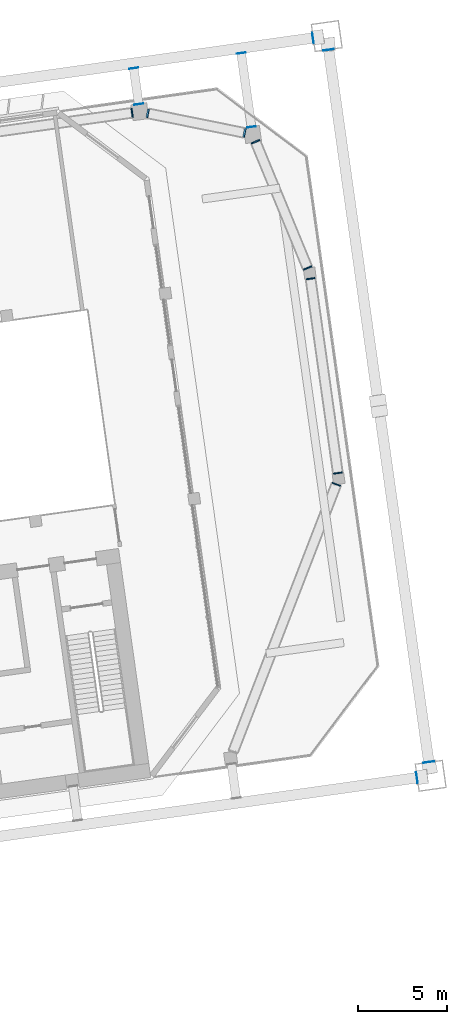
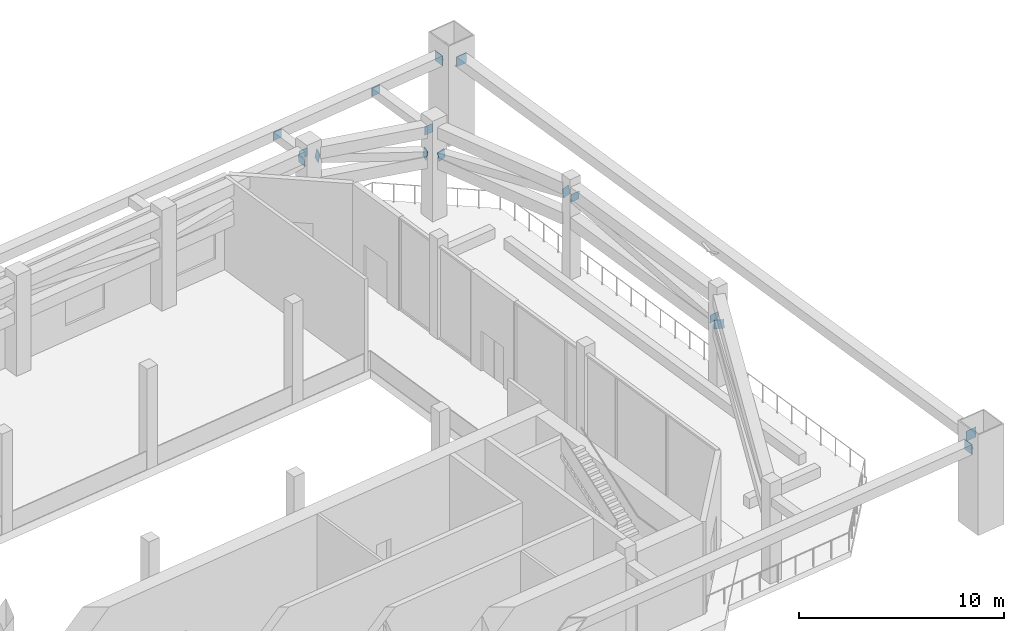
# One storey, part 39 of 41: 16 discrete accessories.
"""IFC4 building model written with IfcOpenShell, lengths in metres."""

from ifc_helpers import new_model, si_unit, direction, frame, origin, origin_2d, place, context, subcontext, project, spatial, rectangle, extrude, material, material_profile, profile_set, type_object, element, save


model = new_model("IFC4")

# Units and contexts
model_context = context("Model", 3, precision=1e-05, world=origin(), true_north=direction((0.0, 1.0)))
body_context = subcontext(model_context, "Body", "Model", "MODEL_VIEW")
ifc_project = project(units=[si_unit("LENGTHUNIT", "METRE"), si_unit("AREAUNIT", "SQUARE_METRE"), si_unit("VOLUMEUNIT", "CUBIC_METRE"), si_unit("PLANEANGLEUNIT", "RADIAN"), si_unit("MASSUNIT", "GRAM", prefix="KILO")], contexts=[model_context])

# Site, building, storey
site_placement = place(None, origin())
site = spatial("IfcSite", under=ifc_project, at=site_placement, CompositionType="ELEMENT")
building_placement = place(site_placement, origin())
building = spatial("IfcBuilding", under=site, at=building_placement, Name="Mirante Cascada Hotel Towers", CompositionType="ELEMENT")
storey_placement = place(building_placement, frame((0.0, 0.0, 92.7)))
storey = spatial("IfcBuildingStorey", under=building, at=storey_placement, Name="L20", CompositionType="ELEMENT", Elevation=92.7)

# Discrete accessories
ifc_material_1 = material(Name="Steel ASTM A572 Gr 50", Category="steel")
ifc_material_profile_1 = material_profile(ifc_material_1, rectangle(XDim=0.5, YDim=0.5, at=origin_2d()), Name="Connection plate 500x500x25 ASTM A572 Gr 50")
ifc_profile_set_1 = profile_set([ifc_material_profile_1], Name="Steel ASTM A572 Gr 50")
discrete_accessory_type_1 = type_object("IfcDiscreteAccessoryType", Name="Connection plate 500x500x25 ASTM A572 Gr 50", PredefinedType="BRACKET", material=ifc_profile_set_1)
for number, where, z_axis, x_axis, name in (
    (1, (89.4089, 24.7787, 4.8483), (0.9807378, 0.1401054, 0.1361024), (-0.1414214, 0.9899495, 0.0), "Connection plate BT20D"),
    (2, (90.283, 24.7522, 4.8524), (0.9625457, -0.1917104, -0.1917104), (0.1953335, 0.9807369, 0.0), "Connection plate BT20D"),
):
    element("IfcDiscreteAccessory", number, at=place(storey_placement, frame(where, z_axis=z_axis, x_axis=x_axis)), inside=storey, type_object=discrete_accessory_type_1, Name=name, PredefinedType="BRACKET", context=body_context, shape_type="SweptSolid", body=[
        extrude(rectangle(XDim=0.5, YDim=0.5, at=origin_2d()), origin(), (0.0, 0.0, 1.0), 0.025),
    ])
discrete_accessory_1_placement = place(storey_placement, frame((95.7267, 23.6531, 3.7524), z_axis=(0.9618019, -0.1955531, -0.1915622), x_axis=(0.199243, 0.9799501, 0.0)))
element("IfcDiscreteAccessory", 3, at=discrete_accessory_1_placement, inside=storey, type_object=discrete_accessory_type_1, Name="Connection plate BT20D", PredefinedType="BRACKET", context=body_context, shape_type="SweptSolid", body=[
    extrude(rectangle(XDim=0.5, YDim=0.5, at=origin_2d()), origin(), (0.0, 0.0, 1.0), 0.0251),
])
discrete_accessory_2_placement = place(storey_placement, frame((96.3516, 23.1606, 3.7482), z_axis=(0.3757806, -0.9154655, 0.143916), x_axis=(0.9250959, 0.3797337, 0.0)))
element("IfcDiscreteAccessory", 4, at=discrete_accessory_2_placement, inside=storey, type_object=discrete_accessory_type_1, Name="Connection plate BT20D", PredefinedType="BRACKET", context=body_context, shape_type="SweptSolid", body=[
    extrude(rectangle(XDim=0.5, YDim=0.5, at=origin_2d()), origin(), (0.0, 0.0, 1.0), 0.025),
])
discrete_accessory_3_placement = place(storey_placement, frame((99.2791, 16.0602, 4.8482), z_axis=(0.379206, -0.9140861, 0.1436991), x_axis=(0.9236725, 0.3831829, 0.0)))
element("IfcDiscreteAccessory", 5, at=discrete_accessory_3_placement, inside=storey, type_object=discrete_accessory_type_1, Name="Connection plate BT20D", PredefinedType="BRACKET", context=body_context, shape_type="SweptSolid", body=[
    extrude(rectangle(XDim=0.5, YDim=0.5, at=origin_2d()), origin(), (0.0, 0.0, 1.0), 0.0251),
])
for number, where, z_axis, x_axis, name in (
    (6, (99.4449, 15.4673, 4.8512), (0.1357385, -0.9861006, -0.0958154), (0.9906585, 0.136366, 0.0), "Connection plate BT20D"),
    (7, (100.9813, 4.5347, 3.7512), (0.1402054, -0.9854437, -0.0961409), (0.9900298, 0.1408579, 0.0), "Connection plate BT20D"),
):
    element("IfcDiscreteAccessory", number, at=place(storey_placement, frame(where, z_axis=z_axis, x_axis=x_axis)), inside=storey, type_object=discrete_accessory_type_1, Name=name, PredefinedType="BRACKET", context=body_context, shape_type="SweptSolid", body=[
        extrude(rectangle(XDim=0.5, YDim=0.5, at=origin_2d()), origin(), (0.0, 0.0, 1.0), 0.025),
    ])
discrete_accessory_4_placement = place(storey_placement, frame((100.9032, 3.9036, 3.7491), z_axis=(-0.360728, -0.9298765, 0.0721456), x_axis=(0.932306, -0.3616704, 0.0)))
element("IfcDiscreteAccessory", 8, at=discrete_accessory_4_placement, inside=storey, type_object=discrete_accessory_type_1, Name="Connection plate BT20D", PredefinedType="BRACKET", context=body_context, shape_type="SweptSolid", body=[
    extrude(rectangle(XDim=0.5, YDim=0.5, at=origin_2d()), origin(), (0.0, 0.0, 1.0), 0.0249),
])
discrete_accessory_5_placement = place(storey_placement, frame((89.7889, 25.2537, 4.85), z_axis=(-0.1397442, 0.9901876, 0.0), x_axis=(-0.9901876, -0.1397442, 0.0)))
element("IfcDiscreteAccessory", 9, at=discrete_accessory_5_placement, inside=storey, type_object=discrete_accessory_type_1, Name="Connection plate TIE", PredefinedType="BRACKET", context=body_context, shape_type="SweptSolid", body=[
    extrude(rectangle(XDim=0.5, YDim=0.5, at=origin_2d()), origin(), (0.0, 0.0, 1.0), 0.025),
])
discrete_accessory_6_placement = place(storey_placement, frame((89.505, 27.2739, 4.85), z_axis=(-0.1402989, 0.9901092, 0.0), x_axis=(-0.9901092, -0.1402989, 0.0)))
element("IfcDiscreteAccessory", 10, at=discrete_accessory_6_placement, inside=storey, type_object=discrete_accessory_type_1, Name="Connection plate TIE", PredefinedType="BRACKET", context=body_context, shape_type="SweptSolid", body=[
    extrude(rectangle(XDim=0.5, YDim=0.5, at=origin_2d()), origin(), (0.0, 0.0, 1.0), 0.0249),
])
for number, where, z_axis, x_axis, name in (
    (11, (96.1287, 23.9736, 4.85), (-0.1358263, 0.9907327, 0.0), (-0.9907327, -0.1358263, 0.0), "Connection plate TIE"),
    (12, (95.5456, 28.1228, 4.85), (-0.1397442, 0.9901876, 0.0), (-0.9901876, -0.1397442, 0.0), "Connection plate TIE"),
):
    element("IfcDiscreteAccessory", number, at=place(storey_placement, frame(where, z_axis=z_axis, x_axis=x_axis)), inside=storey, type_object=discrete_accessory_type_1, Name=name, PredefinedType="BRACKET", context=body_context, shape_type="SweptSolid", body=[
        extrude(rectangle(XDim=0.5, YDim=0.5, at=origin_2d()), origin(), (0.0, 0.0, 1.0), 0.025),
    ])
ifc_material_2 = material(Name="Steel ASTM A572 Gr 50", Category="steel")
ifc_material_profile_2 = material_profile(ifc_material_2, rectangle(XDim=0.6, YDim=0.6, at=origin_2d()), Name="Connection plate 600x600x25 ASTM A572 Gr 50")
ifc_profile_set_2 = profile_set([ifc_material_profile_2], Name="Steel ASTM A572 Gr 50")
discrete_accessory_type_2 = type_object("IfcDiscreteAccessoryType", Name="Connection plate 600x600x25 ASTM A572 Gr 50", PredefinedType="BRACKET", material=ifc_profile_set_2)
discrete_accessory_7_placement = place(storey_placement, frame((99.5724, 28.9841, 4.85), z_axis=(0.9901876, 0.1397442, 0.0), x_axis=(-0.1397442, 0.9901876, 0.0)))
element("IfcDiscreteAccessory", 13, at=discrete_accessory_7_placement, inside=storey, type_object=discrete_accessory_type_2, Name="Connection plate NCH", PredefinedType="BRACKET", context=body_context, shape_type="SweptSolid", body=[
    extrude(rectangle(XDim=0.6, YDim=0.6, at=origin_2d()), origin(), (0.0, 0.0, 1.0), 0.025),
])
discrete_accessory_8_placement = place(storey_placement, frame((105.4177, -12.6071, 4.85), z_axis=(0.9901092, 0.1402989, 0.0), x_axis=(-0.1402989, 0.9901092, 0.0)))
element("IfcDiscreteAccessory", 14, at=discrete_accessory_8_placement, inside=storey, type_object=discrete_accessory_type_2, Name="Connection plate NCH", PredefinedType="BRACKET", context=body_context, shape_type="SweptSolid", body=[
    extrude(rectangle(XDim=0.6, YDim=0.6, at=origin_2d()), origin(), (0.0, 0.0, 1.0), 0.0249),
])
discrete_accessory_9_placement = place(storey_placement, frame((106.0957, -11.7368, 4.85), z_axis=(-0.1397442, 0.9901876, 0.0), x_axis=(-0.9901876, -0.1397442, 0.0)))
element("IfcDiscreteAccessory", 15, at=discrete_accessory_9_placement, inside=storey, type_object=discrete_accessory_type_2, Name="Connection plate NCH", PredefinedType="BRACKET", context=body_context, shape_type="SweptSolid", body=[
    extrude(rectangle(XDim=0.6, YDim=0.6, at=origin_2d()), origin(), (0.0, 0.0, 1.0), 0.025),
])
discrete_accessory_10_placement = place(storey_placement, frame((100.4675, 28.3097, 4.85), z_axis=(-0.1402989, 0.9901092, 0.0), x_axis=(-0.9901092, -0.1402989, 0.0)))
element("IfcDiscreteAccessory", 16, at=discrete_accessory_10_placement, inside=storey, type_object=discrete_accessory_type_2, Name="Connection plate NCH", PredefinedType="BRACKET", context=body_context, shape_type="SweptSolid", body=[
    extrude(rectangle(XDim=0.6, YDim=0.6, at=origin_2d()), origin(), (0.0, 0.0, 1.0), 0.0249),
])

save(model, "model.ifc")
